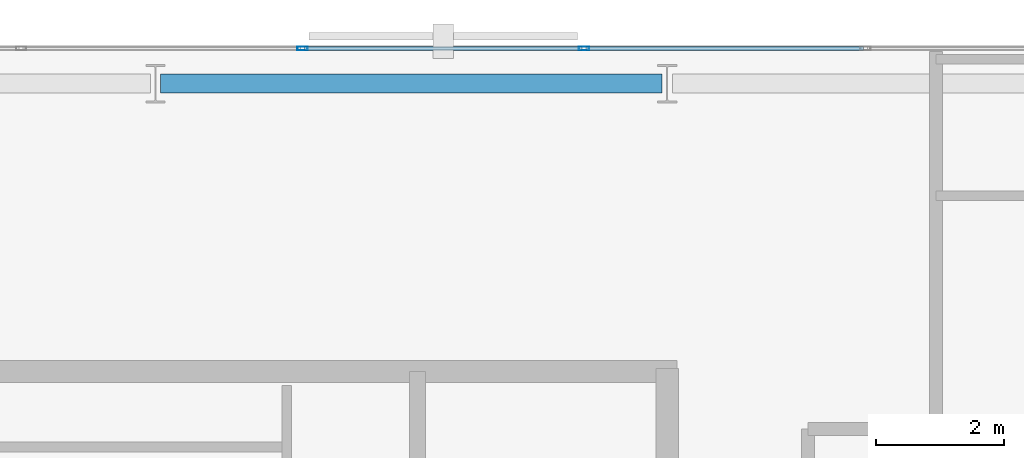
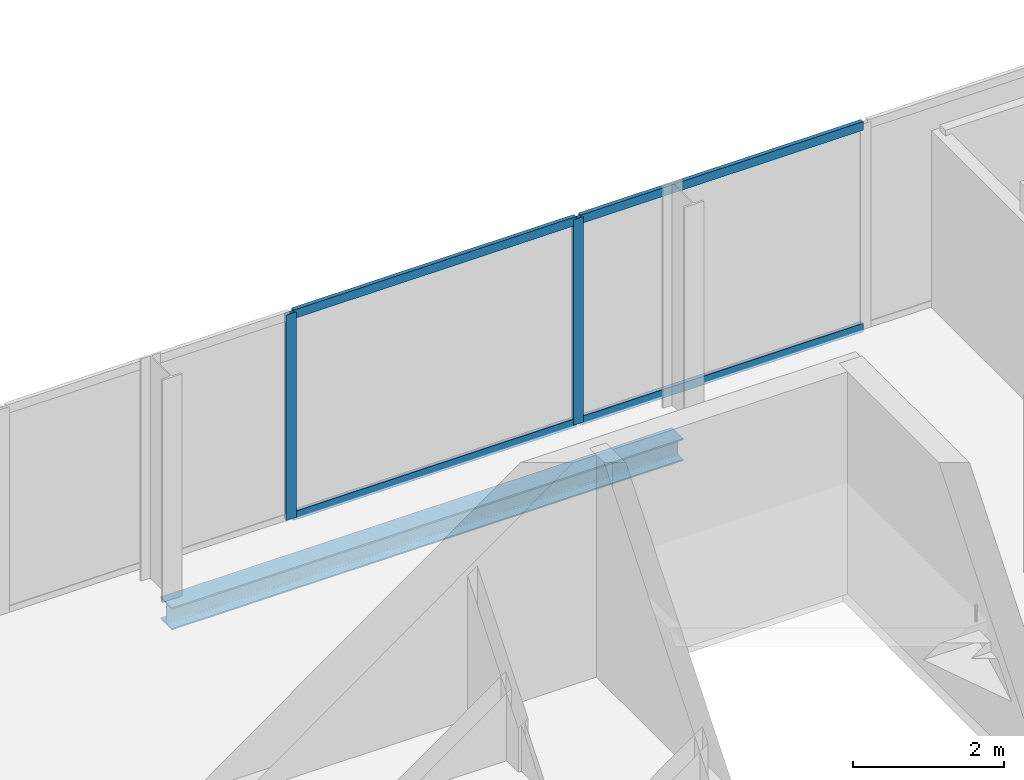
# One storey, part 24 of 32: 6 members, 1 beam, 1 element without a shape of its own.
"""IFC4 building model written with IfcOpenShell, lengths in metres."""

from ifc_helpers import new_model, si_unit, direction, frame, origin, origin_2d, place, context, subcontext, project, spatial, hollow_rectangle, i_section, extrude, material, layer, layer_set, material_profile, profile_set, type_object, element, aggregate, save


model = new_model("IFC4")

# Units and contexts
model_context = context("Model", 3, precision=1e-05, world=origin(), true_north=direction((0.0, 1.0)))
body_context = subcontext(model_context, "Body", "Model", "MODEL_VIEW")
ifc_project = project(units=[si_unit("LENGTHUNIT", "METRE"), si_unit("AREAUNIT", "SQUARE_METRE"), si_unit("VOLUMEUNIT", "CUBIC_METRE"), si_unit("PLANEANGLEUNIT", "RADIAN"), si_unit("MASSUNIT", "GRAM", prefix="KILO")], contexts=[model_context])

# Site, building, storey
site_placement = place(None, origin())
site = spatial("IfcSite", under=ifc_project, at=site_placement, CompositionType="ELEMENT")
building_placement = place(site_placement, origin())
building = spatial("IfcBuilding", under=site, at=building_placement, Name="Catumbela Crestline Tower", CompositionType="ELEMENT")
storey_placement = place(building_placement, frame((0.0, 0.0, 122.4)))
storey = spatial("IfcBuildingStorey", under=building, at=storey_placement, Name="L31", CompositionType="ELEMENT", Elevation=122.4)

# Curtain wall, members
ifc_material_1 = material(Name="Aluminium alloy AW-6060-T66", Category="aluminium")
ifc_layer = layer(ifc_material_1, 0.18, Name="Aluminium alloy AW-6060-T66")
ifc_layer_set = layer_set([ifc_layer], Name="Aluminium alloy AW-6060-T66")
curtain_wall_type = type_object("IfcCurtainWallType", Name="CWU-Z2", PredefinedType="USERDEFINED", material=ifc_layer_set)
curtain_wall_placement = place(storey_placement, origin())
curtain_wall = element("IfcCurtainWall", 1, at=curtain_wall_placement, inside=storey, type_object=curtain_wall_type, Name="L31 Unitised Curtain Wall CW-L31-E7S1", ObjectType="UNITISED", PredefinedType="USERDEFINED")
ifc_material_profile_1 = material_profile(ifc_material_1, hollow_rectangle(XDim=0.06, YDim=0.16, WallThickness=0.004, at=origin_2d()), Name="ALU 160x60x4")
ifc_profile_set_1 = profile_set([ifc_material_profile_1], Name="Aluminium alloy AW-6060-T66")
member_type_1 = type_object("IfcMemberType", Name="MUL-160X60", PredefinedType="MULLION", material=ifc_profile_set_1)
member_1_placement = place(storey_placement, frame((38.7, 47.95, 0.0), z_axis=(0.0, 0.0, 1.0), x_axis=(0.0, -1.0, 0.0)))
member_1 = element("IfcMember", 2, at=member_1_placement, type_object=member_type_1, Name="CWU-Z2 mullion 3", PredefinedType="MULLION", context=body_context, shape_type="SweptSolid", body=[
    extrude(hollow_rectangle(XDim=0.06, YDim=0.16, WallThickness=0.004, at=origin_2d()), origin(), (0.0, 0.0, 1.0), 3.33),
])
member_2_placement = place(storey_placement, frame((34.3, 47.95, 0.0), z_axis=(0.0, 0.0, 1.0), x_axis=(0.0, -1.0, 0.0)))
member_2 = element("IfcMember", 3, at=member_2_placement, type_object=member_type_1, Name="CWU-Z2 mullion 4", PredefinedType="MULLION", context=body_context, shape_type="SweptSolid", body=[
    extrude(hollow_rectangle(XDim=0.06, YDim=0.16, WallThickness=0.004, at=origin_2d()), origin(), (0.0, 0.0, 1.0), 3.33),
])

# Beam
ifc_material_2 = material(Name="Structural steel S355J2", Category="steel")
ifc_material_profile_2 = material_profile(ifc_material_2, i_section(OverallWidth=0.3, OverallDepth=0.36, WebThickness=0.0125, FlangeThickness=0.0225, FilletRadius=0.027, at=origin_2d()), Name="HEB 360")
ifc_profile_set_2 = profile_set([ifc_material_profile_2], Name="Structural steel S355J2")
beam_type = type_object("IfcBeamType", Name="BS-HEB360", PredefinedType="SPANDREL", material=ifc_profile_set_2)
beam_placement = place(storey_placement, frame((32.08, 47.4, -0.44), z_axis=(1.0, 0.0, 0.0), x_axis=(0.0, 1.0, 0.0)))
element("IfcBeam", 4, at=beam_placement, inside=storey, type_object=beam_type, Name="L31 Spandrel SP-L31-NF20", PredefinedType="SPANDREL", context=body_context, shape_type="SweptSolid", body=[
    extrude(i_section(OverallWidth=0.3, OverallDepth=0.36, WebThickness=0.0125, FlangeThickness=0.0225, FilletRadius=0.027, at=origin_2d()), origin(), (0.0, 0.0, 1.0), 7.84),
])

# Member
ifc_material_profile_3 = material_profile(ifc_material_1, hollow_rectangle(XDim=0.06, YDim=0.14, WallThickness=0.004, at=origin_2d()), Name="ALU 140x60x4")
ifc_profile_set_3 = profile_set([ifc_material_profile_3], Name="Aluminium alloy AW-6060-T66")
member_type_2 = type_object("IfcMemberType", Name="TRN-140X60", PredefinedType="USERDEFINED", material=ifc_profile_set_3)
member_3_placement = place(storey_placement, frame((43.0675, 47.95, 0.03), z_axis=(-1.0, 0.0, 0.0), x_axis=(0.0, -1.0, 0.0)))
member_3 = element("IfcMember", 5, at=member_3_placement, type_object=member_type_2, Name="CWU-Z2 transom 2.1", ObjectType="TRANSOM", PredefinedType="USERDEFINED", context=body_context, shape_type="SweptSolid", body=[
    extrude(hollow_rectangle(XDim=0.06, YDim=0.14, WallThickness=0.004, at=origin_2d()), origin(), (0.0, 0.0, 1.0), 4.335),
])

member_4_placement = place(storey_placement, frame((43.0675, 47.95, 3.3), z_axis=(-1.0, 0.0, 0.0), x_axis=(0.0, -1.0, 0.0)))
member_4 = element("IfcMember", 6, at=member_4_placement, type_object=member_type_2, Name="CWU-Z2 transom 2.2", ObjectType="TRANSOM", PredefinedType="USERDEFINED", context=body_context, shape_type="SweptSolid", body=[
    extrude(hollow_rectangle(XDim=0.06, YDim=0.14, WallThickness=0.004, at=origin_2d()), origin(), (0.0, 0.0, 1.0), 4.335),
])

member_5_placement = place(storey_placement, frame((38.6675, 47.95, 0.03), z_axis=(-1.0, 0.0, 0.0), x_axis=(0.0, -1.0, 0.0)))
member_5 = element("IfcMember", 7, at=member_5_placement, type_object=member_type_2, Name="CWU-Z2 transom 3.1", ObjectType="TRANSOM", PredefinedType="USERDEFINED", context=body_context, shape_type="SweptSolid", body=[
    extrude(hollow_rectangle(XDim=0.06, YDim=0.14, WallThickness=0.004, at=origin_2d()), origin(), (0.0, 0.0, 1.0), 4.335),
])

member_6_placement = place(storey_placement, frame((38.6675, 47.95, 3.3), z_axis=(-1.0, 0.0, 0.0), x_axis=(0.0, -1.0, 0.0)))
member_6 = element("IfcMember", 8, at=member_6_placement, type_object=member_type_2, Name="CWU-Z2 transom 3.2", ObjectType="TRANSOM", PredefinedType="USERDEFINED", context=body_context, shape_type="SweptSolid", body=[
    extrude(hollow_rectangle(XDim=0.06, YDim=0.14, WallThickness=0.004, at=origin_2d()), origin(), (0.0, 0.0, 1.0), 4.335),
])

aggregate(curtain_wall, [member_1, member_2, member_3, member_4, member_5, member_6])

save(model, "model.ifc")
